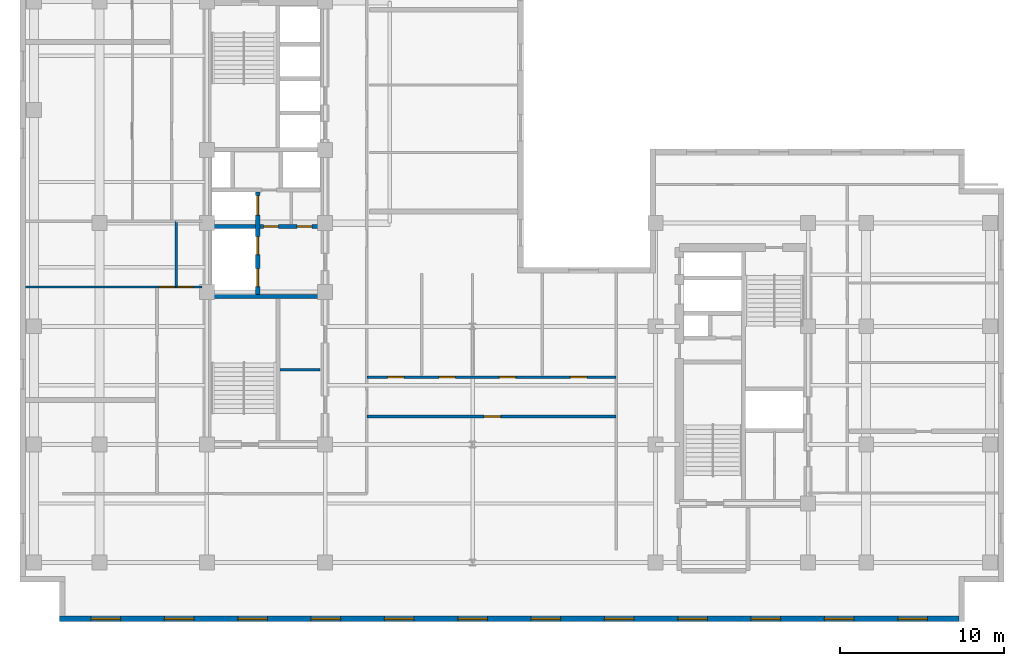
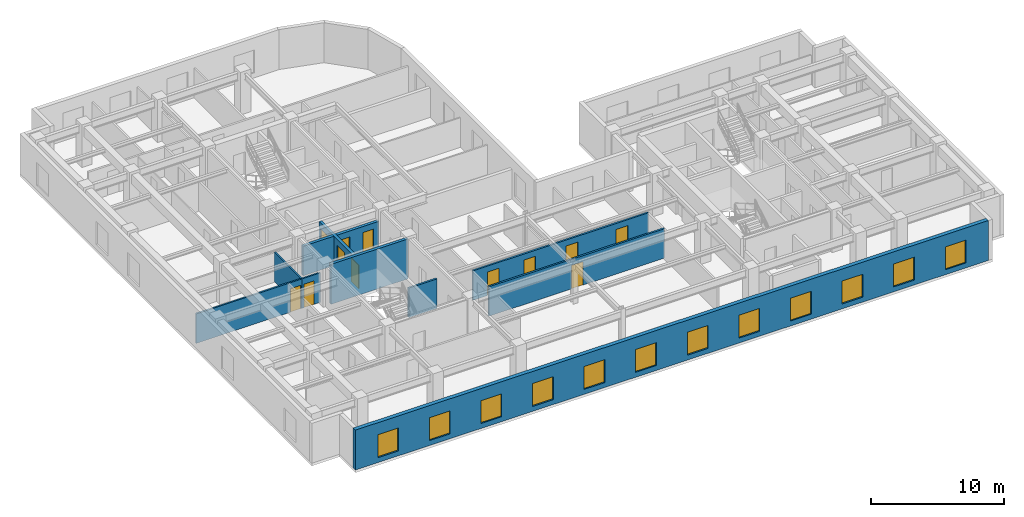
# One storey, part 4 of 11: 12 doors, 12 windows, 10 walls, 24 openings.
"""IFC4 building model written with IfcOpenShell, lengths in metres."""

from ifc_helpers import new_model, entity, si_unit, converted_unit, direction, frame, origin_with_axes, origin_2d_with_axis, place, context, subcontext, project, spatial, polyline, rectangle, outline, extrude, material, layer, layer_set, type_object, element, fill, save


model = new_model("IFC4")

# Units and contexts
model_context = context("Model", 3, precision=1e-05, world=origin_with_axes(), true_north=direction((0.0, 1.0)))
body_context = subcontext(model_context, "Body", "Model", "MODEL_VIEW")
ifc_project = project(units=[si_unit("LENGTHUNIT", "METRE"), si_unit("AREAUNIT", "SQUARE_METRE"), si_unit("VOLUMEUNIT", "CUBIC_METRE"), converted_unit("PLANEANGLEUNIT", "DEGREE", entity("IfcPlaneAngleMeasure", 0.017453292519943295), si_unit("PLANEANGLEUNIT", "RADIAN"), dimensions=[0, 0, 0, 0, 0, 0, 0]), si_unit("MASSUNIT", "GRAM", prefix="KILO"), si_unit("THERMODYNAMICTEMPERATUREUNIT", "KELVIN")], contexts=[model_context])

# Site, building, storey
site_placement = place(None, origin_with_axes())
site = spatial("IfcSite", under=ifc_project, at=site_placement, CompositionType="ELEMENT")
building_placement = place(site_placement, origin_with_axes())
building = spatial("IfcBuilding", under=site, at=building_placement, Name="Varnlund Millrace Tower", CompositionType="ELEMENT")
storey_placement = place(building_placement, frame((0.0, 0.0, 208.2), z_axis=(0.0, 0.0, 1.0), x_axis=(1.0, 0.0, 0.0)))
storey = spatial("IfcBuildingStorey", under=building, at=storey_placement, Name="L51", CompositionType="ELEMENT", Elevation=208.2)

# Wall, openings, windows
ifc_material_1 = material(Name="Precast concrete C50/60", Category="concrete")
ifc_layer_1 = layer(ifc_material_1, 0.34, Name="Precast concrete C50/60")
ifc_layer_set_1 = layer_set([ifc_layer_1], Name="Precast concrete C50/60")
wall_type_1 = type_object("IfcWallType", Name="Type-ExtWall-Precast-Upper-340", PredefinedType="SOLIDWALL", material=ifc_layer_set_1)
wall_1_placement = place(storey_placement, frame((57.26, 0.17, 0.0), z_axis=(0.0, 0.0, 1.0), x_axis=(-1.0, 0.0, 0.0)))
wall_1 = element("IfcWall", 1, at=wall_1_placement, inside=storey, type_object=wall_type_1, Name="Type-ExtWall-Precast-Upper-340", PredefinedType="SOLIDWALL", context=body_context, shape_type="SweptSolid", body=[
    extrude(outline(polyline([(0.0, -0.17), (54.86, -0.17), (54.86, 0.17), (0.0, 0.17), (0.0, -0.17)])), origin_with_axes(), (0.0, 0.0, 1.0), 3.66),
])
opening_1_placement = place(wall_1_placement, frame((2.836, 0.0, 0.45), z_axis=(0.0, 0.0, 1.0), x_axis=(1.0, 0.0, 0.0)))
opening_1 = element("IfcOpeningElement", 2, at=opening_1_placement, cuts=wall_1, Name="Opening L51:WN-08", PredefinedType="OPENING", context=body_context, shape_type="SweptSolid", body=[
    extrude(rectangle(XDim=1.8, YDim=0.36, at=origin_2d_with_axis()), origin_with_axes(), (0.0, 0.0, 1.0), 2.1),
])
opening_2_placement = place(wall_1_placement, frame((7.307, 0.0, 0.45), z_axis=(0.0, 0.0, 1.0), x_axis=(1.0, 0.0, 0.0)))
opening_2 = element("IfcOpeningElement", 3, at=opening_2_placement, cuts=wall_1, Name="Opening L51:WN-09", PredefinedType="OPENING", context=body_context, shape_type="SweptSolid", body=[
    extrude(rectangle(XDim=1.8, YDim=0.36, at=origin_2d_with_axis()), origin_with_axes(), (0.0, 0.0, 1.0), 2.1),
])
opening_3_placement = place(wall_1_placement, frame((11.779, 0.0, 0.45), z_axis=(0.0, 0.0, 1.0), x_axis=(1.0, 0.0, 0.0)))
opening_3 = element("IfcOpeningElement", 4, at=opening_3_placement, cuts=wall_1, Name="Opening L51:WN-10", PredefinedType="OPENING", context=body_context, shape_type="SweptSolid", body=[
    extrude(rectangle(XDim=1.8, YDim=0.36, at=origin_2d_with_axis()), origin_with_axes(), (0.0, 0.0, 1.0), 2.1),
])
opening_4_placement = place(wall_1_placement, frame((16.251, 0.0, 0.45), z_axis=(0.0, 0.0, 1.0), x_axis=(1.0, 0.0, 0.0)))
opening_4 = element("IfcOpeningElement", 5, at=opening_4_placement, cuts=wall_1, Name="Opening L51:WN-11", PredefinedType="OPENING", context=body_context, shape_type="SweptSolid", body=[
    extrude(rectangle(XDim=1.8, YDim=0.36, at=origin_2d_with_axis()), origin_with_axes(), (0.0, 0.0, 1.0), 2.1),
])
opening_5_placement = place(wall_1_placement, frame((20.723, 0.0, 0.45), z_axis=(0.0, 0.0, 1.0), x_axis=(1.0, 0.0, 0.0)))
opening_5 = element("IfcOpeningElement", 6, at=opening_5_placement, cuts=wall_1, Name="Opening L51:WN-12", PredefinedType="OPENING", context=body_context, shape_type="SweptSolid", body=[
    extrude(rectangle(XDim=1.8, YDim=0.36, at=origin_2d_with_axis()), origin_with_axes(), (0.0, 0.0, 1.0), 2.1),
])
opening_6_placement = place(wall_1_placement, frame((25.194, 0.0, 0.45), z_axis=(0.0, 0.0, 1.0), x_axis=(1.0, 0.0, 0.0)))
opening_6 = element("IfcOpeningElement", 7, at=opening_6_placement, cuts=wall_1, Name="Opening L51:WN-13", PredefinedType="OPENING", context=body_context, shape_type="SweptSolid", body=[
    extrude(rectangle(XDim=1.8, YDim=0.36, at=origin_2d_with_axis()), origin_with_axes(), (0.0, 0.0, 1.0), 2.1),
])
opening_7_placement = place(wall_1_placement, frame((29.666, 0.0, 0.45), z_axis=(0.0, 0.0, 1.0), x_axis=(1.0, 0.0, 0.0)))
opening_7 = element("IfcOpeningElement", 8, at=opening_7_placement, cuts=wall_1, Name="Opening L51:WN-14", PredefinedType="OPENING", context=body_context, shape_type="SweptSolid", body=[
    extrude(rectangle(XDim=1.8, YDim=0.36, at=origin_2d_with_axis()), origin_with_axes(), (0.0, 0.0, 1.0), 2.1),
])
opening_8_placement = place(wall_1_placement, frame((34.138, 0.0, 0.45), z_axis=(0.0, 0.0, 1.0), x_axis=(1.0, 0.0, 0.0)))
opening_8 = element("IfcOpeningElement", 9, at=opening_8_placement, cuts=wall_1, Name="Opening L51:WN-15", PredefinedType="OPENING", context=body_context, shape_type="SweptSolid", body=[
    extrude(rectangle(XDim=1.8, YDim=0.36, at=origin_2d_with_axis()), origin_with_axes(), (0.0, 0.0, 1.0), 2.1),
])
opening_9_placement = place(wall_1_placement, frame((38.609, 0.0, 0.45), z_axis=(0.0, 0.0, 1.0), x_axis=(1.0, 0.0, 0.0)))
opening_9 = element("IfcOpeningElement", 10, at=opening_9_placement, cuts=wall_1, Name="Opening L51:WN-16", PredefinedType="OPENING", context=body_context, shape_type="SweptSolid", body=[
    extrude(rectangle(XDim=1.8, YDim=0.36, at=origin_2d_with_axis()), origin_with_axes(), (0.0, 0.0, 1.0), 2.1),
])
opening_10_placement = place(wall_1_placement, frame((43.081, 0.0, 0.45), z_axis=(0.0, 0.0, 1.0), x_axis=(1.0, 0.0, 0.0)))
opening_10 = element("IfcOpeningElement", 11, at=opening_10_placement, cuts=wall_1, Name="Opening L51:WN-17", PredefinedType="OPENING", context=body_context, shape_type="SweptSolid", body=[
    extrude(rectangle(XDim=1.8, YDim=0.36, at=origin_2d_with_axis()), origin_with_axes(), (0.0, 0.0, 1.0), 2.1),
])
opening_11_placement = place(wall_1_placement, frame((47.553, 0.0, 0.45), z_axis=(0.0, 0.0, 1.0), x_axis=(1.0, 0.0, 0.0)))
opening_11 = element("IfcOpeningElement", 12, at=opening_11_placement, cuts=wall_1, Name="Opening L51:WN-18", PredefinedType="OPENING", context=body_context, shape_type="SweptSolid", body=[
    extrude(rectangle(XDim=1.8, YDim=0.36, at=origin_2d_with_axis()), origin_with_axes(), (0.0, 0.0, 1.0), 2.1),
])
opening_12_placement = place(wall_1_placement, frame((52.024, 0.0, 0.45), z_axis=(0.0, 0.0, 1.0), x_axis=(1.0, 0.0, 0.0)))
opening_12 = element("IfcOpeningElement", 13, at=opening_12_placement, cuts=wall_1, Name="Opening L51:WN-19", PredefinedType="OPENING", context=body_context, shape_type="SweptSolid", body=[
    extrude(rectangle(XDim=1.8, YDim=0.36, at=origin_2d_with_axis()), origin_with_axes(), (0.0, 0.0, 1.0), 2.1),
])
ifc_material_2 = material(Name="Argon low-e triple glazing in thermally broken bronze frame", Category="glass")
window_type = type_object("IfcWindowType", Name="Type-Window-Punched-1800X2100", PartitioningType="SINGLE_PANEL", PredefinedType="WINDOW", material=ifc_material_2)
window_1_placement = place(wall_1_placement, frame((2.836, 0.0, 0.45), z_axis=(0.0, 0.0, 1.0), x_axis=(1.0, 0.0, 0.0)))
window_1 = element("IfcWindow", 14, at=window_1_placement, inside=storey, type_object=window_type, Name="Type-Window-Punched-1800X2100", OverallHeight=2.1, OverallWidth=1.8, PredefinedType="WINDOW", context=body_context, shape_type="SweptSolid", body=[
    extrude(rectangle(XDim=1.8, YDim=0.09, at=origin_2d_with_axis()), origin_with_axes(), (0.0, 0.0, 1.0), 2.1),
])
fill(opening_1, window_1)
window_2_placement = place(wall_1_placement, frame((7.307, 0.0, 0.45), z_axis=(0.0, 0.0, 1.0), x_axis=(1.0, 0.0, 0.0)))
window_2 = element("IfcWindow", 15, at=window_2_placement, inside=storey, type_object=window_type, Name="Type-Window-Punched-1800X2100", OverallHeight=2.1, OverallWidth=1.8, PredefinedType="WINDOW", context=body_context, shape_type="SweptSolid", body=[
    extrude(rectangle(XDim=1.8, YDim=0.09, at=origin_2d_with_axis()), origin_with_axes(), (0.0, 0.0, 1.0), 2.1),
])
fill(opening_2, window_2)
window_3_placement = place(wall_1_placement, frame((11.779, 0.0, 0.45), z_axis=(0.0, 0.0, 1.0), x_axis=(1.0, 0.0, 0.0)))
window_3 = element("IfcWindow", 16, at=window_3_placement, inside=storey, type_object=window_type, Name="Type-Window-Punched-1800X2100", OverallHeight=2.1, OverallWidth=1.8, PredefinedType="WINDOW", context=body_context, shape_type="SweptSolid", body=[
    extrude(rectangle(XDim=1.8, YDim=0.09, at=origin_2d_with_axis()), origin_with_axes(), (0.0, 0.0, 1.0), 2.1),
])
fill(opening_3, window_3)
window_4_placement = place(wall_1_placement, frame((16.251, 0.0, 0.45), z_axis=(0.0, 0.0, 1.0), x_axis=(1.0, 0.0, 0.0)))
window_4 = element("IfcWindow", 17, at=window_4_placement, inside=storey, type_object=window_type, Name="Type-Window-Punched-1800X2100", OverallHeight=2.1, OverallWidth=1.8, PredefinedType="WINDOW", context=body_context, shape_type="SweptSolid", body=[
    extrude(rectangle(XDim=1.8, YDim=0.09, at=origin_2d_with_axis()), origin_with_axes(), (0.0, 0.0, 1.0), 2.1),
])
fill(opening_4, window_4)
window_5_placement = place(wall_1_placement, frame((20.723, 0.0, 0.45), z_axis=(0.0, 0.0, 1.0), x_axis=(1.0, 0.0, 0.0)))
window_5 = element("IfcWindow", 18, at=window_5_placement, inside=storey, type_object=window_type, Name="Type-Window-Punched-1800X2100", OverallHeight=2.1, OverallWidth=1.8, PredefinedType="WINDOW", context=body_context, shape_type="SweptSolid", body=[
    extrude(rectangle(XDim=1.8, YDim=0.09, at=origin_2d_with_axis()), origin_with_axes(), (0.0, 0.0, 1.0), 2.1),
])
fill(opening_5, window_5)
window_6_placement = place(wall_1_placement, frame((25.194, 0.0, 0.45), z_axis=(0.0, 0.0, 1.0), x_axis=(1.0, 0.0, 0.0)))
window_6 = element("IfcWindow", 19, at=window_6_placement, inside=storey, type_object=window_type, Name="Type-Window-Punched-1800X2100", OverallHeight=2.1, OverallWidth=1.8, PredefinedType="WINDOW", context=body_context, shape_type="SweptSolid", body=[
    extrude(rectangle(XDim=1.8, YDim=0.09, at=origin_2d_with_axis()), origin_with_axes(), (0.0, 0.0, 1.0), 2.1),
])
fill(opening_6, window_6)
window_7_placement = place(wall_1_placement, frame((29.666, 0.0, 0.45), z_axis=(0.0, 0.0, 1.0), x_axis=(1.0, 0.0, 0.0)))
window_7 = element("IfcWindow", 20, at=window_7_placement, inside=storey, type_object=window_type, Name="Type-Window-Punched-1800X2100", OverallHeight=2.1, OverallWidth=1.8, PredefinedType="WINDOW", context=body_context, shape_type="SweptSolid", body=[
    extrude(rectangle(XDim=1.8, YDim=0.09, at=origin_2d_with_axis()), origin_with_axes(), (0.0, 0.0, 1.0), 2.1),
])
fill(opening_7, window_7)
window_8_placement = place(wall_1_placement, frame((34.138, 0.0, 0.45), z_axis=(0.0, 0.0, 1.0), x_axis=(1.0, 0.0, 0.0)))
window_8 = element("IfcWindow", 21, at=window_8_placement, inside=storey, type_object=window_type, Name="Type-Window-Punched-1800X2100", OverallHeight=2.1, OverallWidth=1.8, PredefinedType="WINDOW", context=body_context, shape_type="SweptSolid", body=[
    extrude(rectangle(XDim=1.8, YDim=0.09, at=origin_2d_with_axis()), origin_with_axes(), (0.0, 0.0, 1.0), 2.1),
])
fill(opening_8, window_8)
window_9_placement = place(wall_1_placement, frame((38.609, 0.0, 0.45), z_axis=(0.0, 0.0, 1.0), x_axis=(1.0, 0.0, 0.0)))
window_9 = element("IfcWindow", 22, at=window_9_placement, inside=storey, type_object=window_type, Name="Type-Window-Punched-1800X2100", OverallHeight=2.1, OverallWidth=1.8, PredefinedType="WINDOW", context=body_context, shape_type="SweptSolid", body=[
    extrude(rectangle(XDim=1.8, YDim=0.09, at=origin_2d_with_axis()), origin_with_axes(), (0.0, 0.0, 1.0), 2.1),
])
fill(opening_9, window_9)
window_10_placement = place(wall_1_placement, frame((43.081, 0.0, 0.45), z_axis=(0.0, 0.0, 1.0), x_axis=(1.0, 0.0, 0.0)))
window_10 = element("IfcWindow", 23, at=window_10_placement, inside=storey, type_object=window_type, Name="Type-Window-Punched-1800X2100", OverallHeight=2.1, OverallWidth=1.8, PredefinedType="WINDOW", context=body_context, shape_type="SweptSolid", body=[
    extrude(rectangle(XDim=1.8, YDim=0.09, at=origin_2d_with_axis()), origin_with_axes(), (0.0, 0.0, 1.0), 2.1),
])
fill(opening_10, window_10)
window_11_placement = place(wall_1_placement, frame((47.553, 0.0, 0.45), z_axis=(0.0, 0.0, 1.0), x_axis=(1.0, 0.0, 0.0)))
window_11 = element("IfcWindow", 24, at=window_11_placement, inside=storey, type_object=window_type, Name="Type-Window-Punched-1800X2100", OverallHeight=2.1, OverallWidth=1.8, PredefinedType="WINDOW", context=body_context, shape_type="SweptSolid", body=[
    extrude(rectangle(XDim=1.8, YDim=0.09, at=origin_2d_with_axis()), origin_with_axes(), (0.0, 0.0, 1.0), 2.1),
])
fill(opening_11, window_11)
window_12_placement = place(wall_1_placement, frame((52.024, 0.0, 0.45), z_axis=(0.0, 0.0, 1.0), x_axis=(1.0, 0.0, 0.0)))
window_12 = element("IfcWindow", 25, at=window_12_placement, inside=storey, type_object=window_type, Name="Type-Window-Punched-1800X2100", OverallHeight=2.1, OverallWidth=1.8, PredefinedType="WINDOW", context=body_context, shape_type="SweptSolid", body=[
    extrude(rectangle(XDim=1.8, YDim=0.09, at=origin_2d_with_axis()), origin_with_axes(), (0.0, 0.0, 1.0), 2.1),
])
fill(opening_12, window_12)

# Wall
ifc_material_3 = material(Name="Fire-rated gypsum board on cold-formed steel framing", Category="steel")
ifc_layer_2 = layer(ifc_material_3, 0.16, Name="Fire-rated gypsum board on cold-formed steel framing")
ifc_layer_set_2 = layer_set([ifc_layer_2], Name="Fire-rated gypsum board on cold-formed steel framing")
wall_type_2 = type_object("IfcWallType", Name="Type-Partition-Corridor-160", PredefinedType="PARTITIONING", material=ifc_layer_set_2)
wall_2_placement = place(storey_placement, frame((15.84, 15.35, 0.0), z_axis=(0.0, 0.0, 1.0), x_axis=(1.0, 0.0, 0.0)))
element("IfcWall", 26, at=wall_2_placement, inside=storey, type_object=wall_type_2, Name="Type-Partition-Corridor-160", PredefinedType="PARTITIONING", context=body_context, shape_type="SweptSolid", body=[
    extrude(outline(polyline([(0.0, -0.08), (2.46, -0.08), (2.46, 0.08), (0.0, 0.08), (0.0, -0.08)])), origin_with_axes(), (0.0, 0.0, 1.0), 2.7),
])

# Wall, opening, door
wall_3_placement = place(storey_placement, frame((21.15, 12.5, 0.0), z_axis=(0.0, 0.0, 1.0), x_axis=(1.0, 0.0, 0.0)))
wall_3 = element("IfcWall", 27, at=wall_3_placement, inside=storey, type_object=wall_type_2, Name="Type-Partition-Corridor-160", PredefinedType="PARTITIONING", context=body_context, shape_type="SweptSolid", body=[
    extrude(outline(polyline([(0.0, -0.08), (15.2, -0.08), (15.2, 0.08), (0.0, 0.08), (0.0, -0.08)])), origin_with_axes(), (0.0, 0.0, 1.0), 2.7),
])
opening_13_placement = place(wall_3_placement, frame((7.65, 0.0, 0.0), z_axis=(0.0, 0.0, 1.0), x_axis=(1.0, 0.0, 0.0)))
opening_13 = element("IfcOpeningElement", 28, at=opening_13_placement, cuts=wall_3, Name="Opening L51:DR-KNS-01", PredefinedType="OPENING", context=body_context, shape_type="SweptSolid", body=[
    extrude(rectangle(XDim=1.0, YDim=0.18, at=origin_2d_with_axis()), origin_with_axes(), (0.0, 0.0, 1.0), 2.15),
])
ifc_material_4 = material(Name="Solid-core white oak and bronze frame door")
door_type_1 = type_object("IfcDoorType", Name="Type-IntDoor-Office-1000X2150", OperationType="NOTDEFINED", PredefinedType="DOOR", material=ifc_material_4)
door_1_placement = place(wall_3_placement, frame((7.65, 0.0, 0.0), z_axis=(0.0, 0.0, 1.0), x_axis=(1.0, 0.0, 0.0)))
door_1 = element("IfcDoor", 29, at=door_1_placement, inside=storey, type_object=door_type_1, Name="Type-IntDoor-Office-1000X2150", OperationType="SINGLE_SWING_LEFT", OverallHeight=2.15, OverallWidth=1.0, PredefinedType="DOOR", context=body_context, shape_type="SweptSolid", body=[
    extrude(rectangle(XDim=1.0, YDim=0.09, at=origin_2d_with_axis()), origin_with_axes(), (0.0, 0.0, 1.0), 2.15),
])
fill(opening_13, door_1)

# Wall, openings, doors
wall_4_placement = place(storey_placement, frame((21.15, 14.9, 0.0), z_axis=(0.0, 0.0, 1.0), x_axis=(1.0, 0.0, 0.0)))
wall_4 = element("IfcWall", 30, at=wall_4_placement, inside=storey, type_object=wall_type_2, Name="Type-Partition-Corridor-160", PredefinedType="PARTITIONING", context=body_context, shape_type="SweptSolid", body=[
    extrude(outline(polyline([(0.0, -0.08), (15.2, -0.08), (15.2, 0.08), (0.0, 0.08), (0.0, -0.08)])), origin_with_axes(), (0.0, 0.0, 1.0), 2.7),
])
opening_14_placement = place(wall_4_placement, frame((1.7645, 0.0, 0.0), z_axis=(0.0, 0.0, 1.0), x_axis=(1.0, 0.0, 0.0)))
opening_14 = element("IfcOpeningElement", 31, at=opening_14_placement, cuts=wall_4, Name="Opening L51:DR-KN-01", PredefinedType="OPENING", context=body_context, shape_type="SweptSolid", body=[
    extrude(rectangle(XDim=1.0, YDim=0.18, at=origin_2d_with_axis()), origin_with_axes(), (0.0, 0.0, 1.0), 2.15),
])
opening_15_placement = place(wall_4_placement, frame((4.8995, 0.0, 0.0), z_axis=(0.0, 0.0, 1.0), x_axis=(1.0, 0.0, 0.0)))
opening_15 = element("IfcOpeningElement", 32, at=opening_15_placement, cuts=wall_4, Name="Opening L51:DR-KN-02", PredefinedType="OPENING", context=body_context, shape_type="SweptSolid", body=[
    extrude(rectangle(XDim=1.0, YDim=0.18, at=origin_2d_with_axis()), origin_with_axes(), (0.0, 0.0, 1.0), 2.15),
])
opening_16_placement = place(wall_4_placement, frame((8.576, 0.0, 0.0), z_axis=(0.0, 0.0, 1.0), x_axis=(1.0, 0.0, 0.0)))
opening_16 = element("IfcOpeningElement", 33, at=opening_16_placement, cuts=wall_4, Name="Opening L51:DR-KN-03", PredefinedType="OPENING", context=body_context, shape_type="SweptSolid", body=[
    extrude(rectangle(XDim=1.0, YDim=0.18, at=origin_2d_with_axis()), origin_with_axes(), (0.0, 0.0, 1.0), 2.15),
])
opening_17_placement = place(wall_4_placement, frame((12.911, 0.0, 0.0), z_axis=(0.0, 0.0, 1.0), x_axis=(1.0, 0.0, 0.0)))
opening_17 = element("IfcOpeningElement", 34, at=opening_17_placement, cuts=wall_4, Name="Opening L51:DR-KN-04", PredefinedType="OPENING", context=body_context, shape_type="SweptSolid", body=[
    extrude(rectangle(XDim=1.0, YDim=0.18, at=origin_2d_with_axis()), origin_with_axes(), (0.0, 0.0, 1.0), 2.15),
])
door_2_placement = place(wall_4_placement, frame((1.7645, 0.0, 0.0), z_axis=(0.0, 0.0, 1.0), x_axis=(1.0, 0.0, 0.0)))
door_2 = element("IfcDoor", 35, at=door_2_placement, inside=storey, type_object=door_type_1, Name="Type-IntDoor-Office-1000X2150", OperationType="SINGLE_SWING_LEFT", OverallHeight=2.15, OverallWidth=1.0, PredefinedType="DOOR", context=body_context, shape_type="SweptSolid", body=[
    extrude(rectangle(XDim=1.0, YDim=0.09, at=origin_2d_with_axis()), origin_with_axes(), (0.0, 0.0, 1.0), 2.15),
])
fill(opening_14, door_2)
door_3_placement = place(wall_4_placement, frame((4.8995, 0.0, 0.0), z_axis=(0.0, 0.0, 1.0), x_axis=(1.0, 0.0, 0.0)))
door_3 = element("IfcDoor", 36, at=door_3_placement, inside=storey, type_object=door_type_1, Name="Type-IntDoor-Office-1000X2150", OperationType="SINGLE_SWING_RIGHT", OverallHeight=2.15, OverallWidth=1.0, PredefinedType="DOOR", context=body_context, shape_type="SweptSolid", body=[
    extrude(rectangle(XDim=1.0, YDim=0.09, at=origin_2d_with_axis()), origin_with_axes(), (0.0, 0.0, 1.0), 2.15),
])
fill(opening_15, door_3)
door_4_placement = place(wall_4_placement, frame((8.576, 0.0, 0.0), z_axis=(0.0, 0.0, 1.0), x_axis=(1.0, 0.0, 0.0)))
door_4 = element("IfcDoor", 37, at=door_4_placement, inside=storey, type_object=door_type_1, Name="Type-IntDoor-Office-1000X2150", OperationType="SINGLE_SWING_LEFT", OverallHeight=2.15, OverallWidth=1.0, PredefinedType="DOOR", context=body_context, shape_type="SweptSolid", body=[
    extrude(rectangle(XDim=1.0, YDim=0.09, at=origin_2d_with_axis()), origin_with_axes(), (0.0, 0.0, 1.0), 2.15),
])
fill(opening_16, door_4)
door_5_placement = place(wall_4_placement, frame((12.911, 0.0, 0.0), z_axis=(0.0, 0.0, 1.0), x_axis=(1.0, 0.0, 0.0)))
door_5 = element("IfcDoor", 38, at=door_5_placement, inside=storey, type_object=door_type_1, Name="Type-IntDoor-Office-1000X2150", OperationType="SINGLE_SWING_RIGHT", OverallHeight=2.15, OverallWidth=1.0, PredefinedType="DOOR", context=body_context, shape_type="SweptSolid", body=[
    extrude(rectangle(XDim=1.0, YDim=0.09, at=origin_2d_with_axis()), origin_with_axes(), (0.0, 0.0, 1.0), 2.15),
])
fill(opening_17, door_5)

# Wall
ifc_material_5 = material(Name="Moisture-resistant gypsum restroom partition", Category="gypsum")
ifc_layer_3 = layer(ifc_material_5, 0.14, Name="Moisture-resistant gypsum restroom partition")
ifc_layer_set_3 = layer_set([ifc_layer_3], Name="Moisture-resistant gypsum restroom partition")
wall_type_3 = type_object("IfcWallType", Name="Type-Partition-Wet-140", PredefinedType="PARTITIONING", material=ifc_layer_set_3)
wall_5_placement = place(storey_placement, frame((9.52, 20.4, 0.0), z_axis=(0.0, 0.0, 1.0), x_axis=(0.0, 1.0, 0.0)))
element("IfcWall", 39, at=wall_5_placement, inside=storey, type_object=wall_type_3, Name="Type-Partition-Wet-140", PredefinedType="PARTITIONING", context=body_context, shape_type="SweptSolid", body=[
    extrude(outline(polyline([(0.0, -0.07), (4.0, -0.07), (4.0, 0.07), (0.0, 0.07), (0.0, -0.07)])), origin_with_axes(), (0.0, 0.0, 1.0), 2.7),
])

# Wall, opening, door
wall_6_placement = place(storey_placement, frame((9.52, 20.4, 0.0), z_axis=(0.0, 0.0, 1.0), x_axis=(1.0, 0.0, 0.0)))
wall_6 = element("IfcWall", 40, at=wall_6_placement, inside=storey, type_object=wall_type_3, Name="Type-Partition-Wet-140", PredefinedType="PARTITIONING", context=body_context, shape_type="SweptSolid", body=[
    extrude(outline(polyline([(0.0, -0.07), (1.58, -0.07), (1.58, 0.07), (0.0, 0.07), (0.0, -0.07)])), origin_with_axes(), (0.0, 0.0, 1.0), 2.7),
])
opening_18_placement = place(wall_6_placement, frame((0.59, 0.0, 0.0), z_axis=(0.0, 0.0, 1.0), x_axis=(1.0, 0.0, 0.0)))
opening_18 = element("IfcOpeningElement", 41, at=opening_18_placement, cuts=wall_6, Name="Opening L51:DR-CA-WCW", PredefinedType="OPENING", context=body_context, shape_type="SweptSolid", body=[
    extrude(rectangle(XDim=0.9, YDim=0.16, at=origin_2d_with_axis()), origin_with_axes(), (0.0, 0.0, 1.0), 2.15),
])
ifc_material_6 = material(Name="Painted steel riser and closet door", Category="steel")
door_type_2 = type_object("IfcDoorType", Name="Type-IntDoor-Closet-900X2150", OperationType="NOTDEFINED", PredefinedType="DOOR", material=ifc_material_6)
door_6_placement = place(wall_6_placement, frame((0.59, 0.0, 0.0), z_axis=(0.0, 0.0, 1.0), x_axis=(1.0, 0.0, 0.0)))
door_6 = element("IfcDoor", 42, at=door_6_placement, inside=storey, type_object=door_type_2, Name="Type-IntDoor-Closet-900X2150", OperationType="SINGLE_SWING_LEFT", OverallHeight=2.15, OverallWidth=0.9, PredefinedType="DOOR", context=body_context, shape_type="SweptSolid", body=[
    extrude(rectangle(XDim=0.9, YDim=0.084, at=origin_2d_with_axis()), origin_with_axes(), (0.0, 0.0, 1.0), 2.15),
])
fill(opening_18, door_6)

wall_7_placement = place(storey_placement, frame((0.335, 20.4, 0.0), z_axis=(0.0, 0.0, 1.0), x_axis=(1.0, 0.0, 0.0)))
wall_7 = element("IfcWall", 43, at=wall_7_placement, inside=storey, type_object=wall_type_3, Name="Type-Partition-Wet-140", PredefinedType="PARTITIONING", context=body_context, shape_type="SweptSolid", body=[
    extrude(outline(polyline([(0.0, -0.07), (9.185, -0.07), (9.185, 0.07), (0.0, 0.07), (0.0, -0.07)])), origin_with_axes(), (0.0, 0.0, 1.0), 2.7),
])
opening_19_placement = place(wall_7_placement, frame((8.615, 0.0, 0.0), z_axis=(0.0, 0.0, 1.0), x_axis=(1.0, 0.0, 0.0)))
opening_19 = element("IfcOpeningElement", 44, at=opening_19_placement, cuts=wall_7, Name="Opening L51:DR-W-MIDR", PredefinedType="OPENING", context=body_context, shape_type="SweptSolid", body=[
    extrude(rectangle(XDim=0.9, YDim=0.16, at=origin_2d_with_axis()), origin_with_axes(), (0.0, 0.0, 1.0), 2.15),
])
door_7_placement = place(wall_7_placement, frame((8.615, 0.0, 0.0), z_axis=(0.0, 0.0, 1.0), x_axis=(1.0, 0.0, 0.0)))
door_7 = element("IfcDoor", 45, at=door_7_placement, inside=storey, type_object=door_type_2, Name="Type-IntDoor-Closet-900X2150", OperationType="SINGLE_SWING_LEFT", OverallHeight=2.15, OverallWidth=0.9, PredefinedType="DOOR", context=body_context, shape_type="SweptSolid", body=[
    extrude(rectangle(XDim=0.9, YDim=0.084, at=origin_2d_with_axis()), origin_with_axes(), (0.0, 0.0, 1.0), 2.15),
])
fill(opening_19, door_7)

# Wall, openings, doors
ifc_material_7 = material(Name="Concrete C60/75", Category="concrete")
ifc_layer_4 = layer(ifc_material_7, 0.25, Name="Concrete C60/75")
ifc_layer_set_4 = layer_set([ifc_layer_4], Name="Concrete C60/75")
wall_type_4 = type_object("IfcWallType", Name="Type-ShaftWall-Fire-250", PredefinedType="SOLIDWALL", material=ifc_layer_set_4)
wall_8_placement = place(storey_placement, frame((14.5, 19.95, 0.0), z_axis=(0.0, 0.0, 1.0), x_axis=(0.0, 1.0, 0.0)))
wall_8 = element("IfcWall", 46, at=wall_8_placement, inside=storey, type_object=wall_type_4, Name="Type-ShaftWall-Fire-250", PredefinedType="SOLIDWALL", context=body_context, shape_type="SweptSolid", body=[
    extrude(outline(polyline([(0.0, -0.125), (6.25, -0.125), (6.25, 0.125), (0.0, 0.125), (0.0, -0.125)])), origin_with_axes(), (0.0, 0.0, 1.0), 2.7),
])
opening_20_placement = place(wall_8_placement, frame((1.025, 0.0, 0.0), z_axis=(0.0, 0.0, 1.0), x_axis=(1.0, 0.0, 0.0)))
opening_20 = element("IfcOpeningElement", 47, at=opening_20_placement, cuts=wall_8, Name="Opening L51:LD-FSAE1", PredefinedType="OPENING", context=body_context, shape_type="SweptSolid", body=[
    extrude(rectangle(XDim=1.1, YDim=0.27, at=origin_2d_with_axis()), origin_with_axes(), (0.0, 0.0, 1.0), 2.15),
])
opening_21_placement = place(wall_8_placement, frame((2.975, 0.0, 0.0), z_axis=(0.0, 0.0, 1.0), x_axis=(1.0, 0.0, 0.0)))
opening_21 = element("IfcOpeningElement", 48, at=opening_21_placement, cuts=wall_8, Name="Opening L51:LD-FSAE2", PredefinedType="OPENING", context=body_context, shape_type="SweptSolid", body=[
    extrude(rectangle(XDim=1.1, YDim=0.27, at=origin_2d_with_axis()), origin_with_axes(), (0.0, 0.0, 1.0), 2.15),
])
opening_22_placement = place(wall_8_placement, frame((5.425, 0.0, 0.0), z_axis=(0.0, 0.0, 1.0), x_axis=(1.0, 0.0, 0.0)))
opening_22 = element("IfcOpeningElement", 49, at=opening_22_placement, cuts=wall_8, Name="Opening L51:LD-SRV1", PredefinedType="OPENING", context=body_context, shape_type="SweptSolid", body=[
    extrude(rectangle(XDim=1.2, YDim=0.27, at=origin_2d_with_axis()), origin_with_axes(), (0.0, 0.0, 1.0), 2.15),
])
ifc_material_8 = material(Name="Stainless and architectural bronze sliding landing door")
door_type_3 = type_object("IfcDoorType", Name="Type-LiftLandingDoor-1100X2150", OperationType="NOTDEFINED", PredefinedType="DOOR", material=ifc_material_8)
door_8_placement = place(wall_8_placement, frame((1.025, 0.0, 0.0), z_axis=(0.0, 0.0, 1.0), x_axis=(1.0, 0.0, 0.0)))
door_8 = element("IfcDoor", 50, at=door_8_placement, inside=storey, type_object=door_type_3, Name="Type-LiftLandingDoor-1100X2150", OperationType="SLIDING_TO_LEFT", OverallHeight=2.15, OverallWidth=1.1, PredefinedType="DOOR", context=body_context, shape_type="SweptSolid", body=[
    extrude(rectangle(XDim=1.1, YDim=0.09, at=origin_2d_with_axis()), origin_with_axes(), (0.0, 0.0, 1.0), 2.15),
])
fill(opening_20, door_8)
door_9_placement = place(wall_8_placement, frame((2.975, 0.0, 0.0), z_axis=(0.0, 0.0, 1.0), x_axis=(1.0, 0.0, 0.0)))
door_9 = element("IfcDoor", 51, at=door_9_placement, inside=storey, type_object=door_type_3, Name="Type-LiftLandingDoor-1100X2150", OperationType="SLIDING_TO_RIGHT", OverallHeight=2.15, OverallWidth=1.1, PredefinedType="DOOR", context=body_context, shape_type="SweptSolid", body=[
    extrude(rectangle(XDim=1.1, YDim=0.09, at=origin_2d_with_axis()), origin_with_axes(), (0.0, 0.0, 1.0), 2.15),
])
fill(opening_21, door_9)
ifc_material_9 = material(Name="Heavy-duty freight sliding landing door")
door_type_4 = type_object("IfcDoorType", Name="Type-LiftLandingDoor-Service-1200X2150", OperationType="NOTDEFINED", PredefinedType="DOOR", material=ifc_material_9)
door_10_placement = place(wall_8_placement, frame((5.425, 0.0, 0.0), z_axis=(0.0, 0.0, 1.0), x_axis=(1.0, 0.0, 0.0)))
door_10 = element("IfcDoor", 52, at=door_10_placement, inside=storey, type_object=door_type_4, Name="Type-LiftLandingDoor-Service-1200X2150", OperationType="DOUBLE_DOOR_SLIDING", OverallHeight=2.15, OverallWidth=1.2, PredefinedType="DOOR", context=body_context, shape_type="SweptSolid", body=[
    extrude(rectangle(XDim=1.2, YDim=0.09, at=origin_2d_with_axis()), origin_with_axes(), (0.0, 0.0, 1.0), 2.15),
])
fill(opening_22, door_10)

wall_9_placement = place(storey_placement, frame((11.7, 24.1, 0.0), z_axis=(0.0, 0.0, 1.0), x_axis=(1.0, 0.0, 0.0)))
wall_9 = element("IfcWall", 53, at=wall_9_placement, inside=storey, type_object=wall_type_4, Name="Type-ShaftWall-Fire-250", PredefinedType="SOLIDWALL", context=body_context, shape_type="SweptSolid", body=[
    extrude(outline(polyline([(0.0, -0.125), (6.6, -0.125), (6.6, 0.125), (0.0, 0.125), (0.0, -0.125)])), origin_with_axes(), (0.0, 0.0, 1.0), 2.7),
])
opening_23_placement = place(wall_9_placement, frame((3.6, 0.0, 0.0), z_axis=(0.0, 0.0, 1.0), x_axis=(1.0, 0.0, 0.0)))
opening_23 = element("IfcOpeningElement", 54, at=opening_23_placement, cuts=wall_9, Name="Opening L51:DR-CA-SUB1", PredefinedType="OPENING", context=body_context, shape_type="SweptSolid", body=[
    extrude(rectangle(XDim=0.9, YDim=0.27, at=origin_2d_with_axis()), origin_with_axes(), (0.0, 0.0, 1.0), 2.15),
])
opening_24_placement = place(wall_9_placement, frame((5.65, 0.0, 0.0), z_axis=(0.0, 0.0, 1.0), x_axis=(1.0, 0.0, 0.0)))
opening_24 = element("IfcOpeningElement", 55, at=opening_24_placement, cuts=wall_9, Name="Opening L51:DR-CA-SUB2", PredefinedType="OPENING", context=body_context, shape_type="SweptSolid", body=[
    extrude(rectangle(XDim=0.9, YDim=0.27, at=origin_2d_with_axis()), origin_with_axes(), (0.0, 0.0, 1.0), 2.15),
])
ifc_material_10 = material(Name="Fire-rated hollow steel service closet door", Category="steel")
door_type_5 = type_object("IfcDoorType", Name="Type-FireDoor-Closet-900X2150", OperationType="NOTDEFINED", PredefinedType="DOOR", material=ifc_material_10)
door_11_placement = place(wall_9_placement, frame((3.6, 0.0, 0.0), z_axis=(0.0, 0.0, 1.0), x_axis=(1.0, 0.0, 0.0)))
door_11 = element("IfcDoor", 56, at=door_11_placement, inside=storey, type_object=door_type_5, Name="Type-FireDoor-Closet-900X2150", OperationType="SINGLE_SWING_LEFT", OverallHeight=2.15, OverallWidth=0.9, PredefinedType="DOOR", context=body_context, shape_type="SweptSolid", body=[
    extrude(rectangle(XDim=0.9, YDim=0.09, at=origin_2d_with_axis()), origin_with_axes(), (0.0, 0.0, 1.0), 2.15),
])
fill(opening_23, door_11)
door_12_placement = place(wall_9_placement, frame((5.65, 0.0, 0.0), z_axis=(0.0, 0.0, 1.0), x_axis=(1.0, 0.0, 0.0)))
door_12 = element("IfcDoor", 57, at=door_12_placement, inside=storey, type_object=door_type_5, Name="Type-FireDoor-Closet-900X2150", OperationType="SINGLE_SWING_LEFT", OverallHeight=2.15, OverallWidth=0.9, PredefinedType="DOOR", context=body_context, shape_type="SweptSolid", body=[
    extrude(rectangle(XDim=0.9, YDim=0.09, at=origin_2d_with_axis()), origin_with_axes(), (0.0, 0.0, 1.0), 2.15),
])
fill(opening_24, door_12)

# Wall
wall_type_5 = type_object("IfcWallType", Name="Type-StairWall-Shear-250", PredefinedType="SHEAR", material=ifc_layer_set_4)
wall_10_placement = place(storey_placement, frame((11.65, 19.825, 0.0), z_axis=(0.0, 0.0, 1.0), x_axis=(1.0, 0.0, 0.0)))
element("IfcWall", 58, at=wall_10_placement, inside=storey, type_object=wall_type_5, Name="Type-StairWall-Shear-250", PredefinedType="SHEAR", context=body_context, shape_type="SweptSolid", body=[
    extrude(outline(polyline([(0.0, -0.125), (6.7, -0.125), (6.7, 0.125), (0.0, 0.125), (0.0, -0.125)])), origin_with_axes(), (0.0, 0.0, 1.0), 3.66),
])

save(model, "model.ifc")
